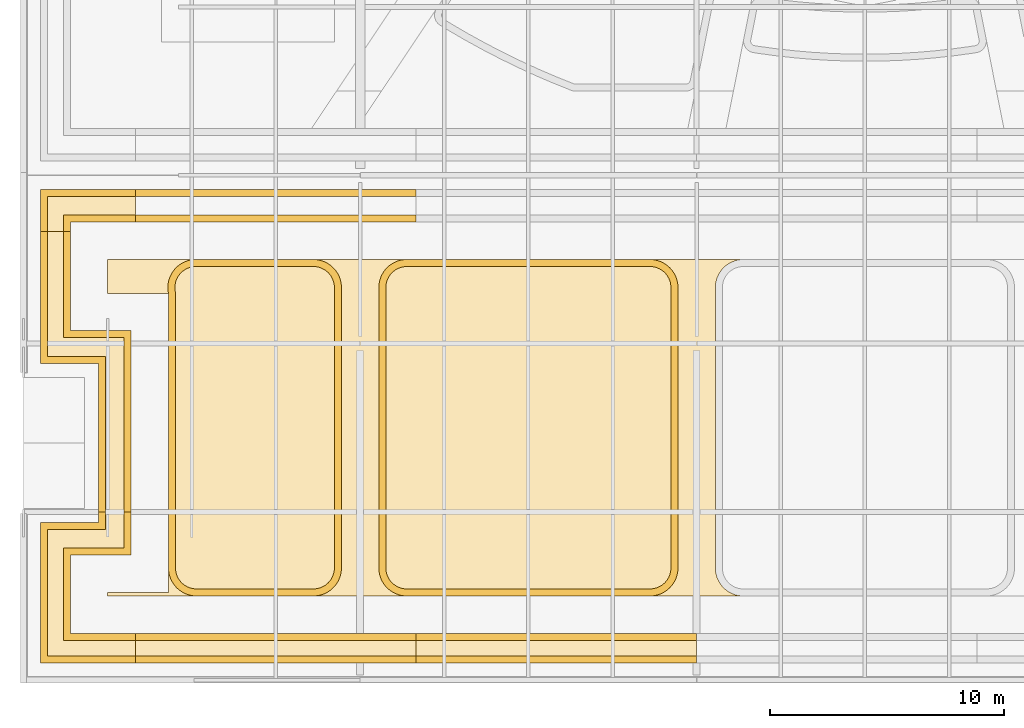
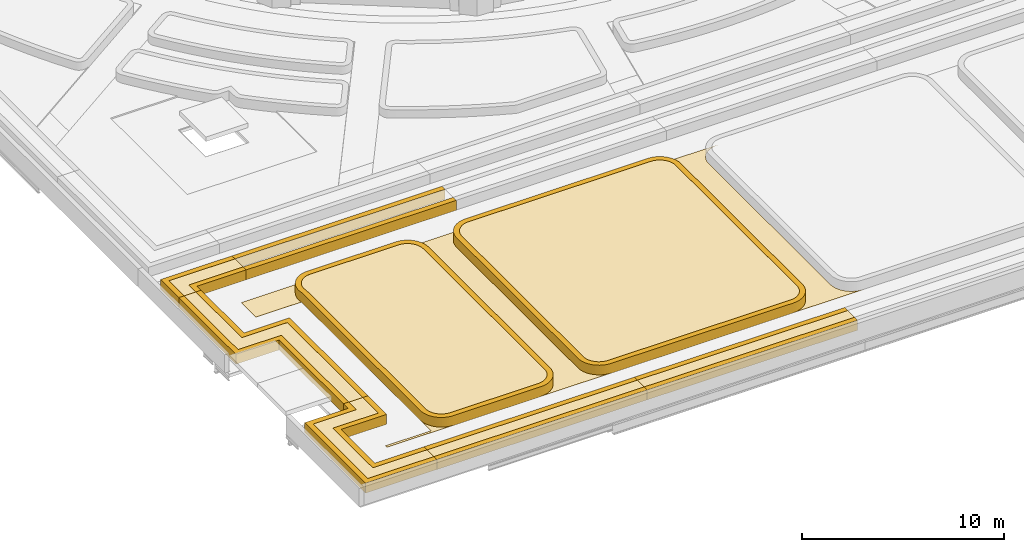
# One storey, part 81 of 110: 25 coverings.
"""IFC4 building model written with IfcOpenShell, lengths in metres."""

from ifc_helpers import new_model, si_unit, direction, frame, origin, place, context, subcontext, project, spatial, polyline, outline, extrude, material, layer, layer_set, type_object, element, save


model = new_model("IFC4")

# Units and contexts
model_context = context("Model", 3, precision=1e-05, world=origin(), true_north=direction((0.0, 1.0)))
body_context = subcontext(model_context, "Body", "Model", "MODEL_VIEW")
ifc_project = project(units=[si_unit("LENGTHUNIT", "METRE"), si_unit("AREAUNIT", "SQUARE_METRE"), si_unit("VOLUMEUNIT", "CUBIC_METRE"), si_unit("PLANEANGLEUNIT", "RADIAN"), si_unit("MASSUNIT", "GRAM", prefix="KILO")], contexts=[model_context])

# Site, building, storey
site_placement = place(None, origin())
site = spatial("IfcSite", under=ifc_project, at=site_placement, CompositionType="ELEMENT")
building_placement = place(site_placement, origin())
building = spatial("IfcBuilding", under=site, at=building_placement, Name="Kupolbacken Congress Centre", CompositionType="ELEMENT")
storey_placement = place(building_placement, frame((0.0, 0.0, 18.0)))
storey = spatial("IfcBuildingStorey", under=building, at=storey_placement, Name="L05", CompositionType="ELEMENT", Elevation=18.0)

# Coverings
ifc_material_1 = material(Name="Limestone cladding", Category="masonry")
ifc_layer_1 = layer(ifc_material_1, 0.60009765625)
ifc_layer_set_1 = layer_set([ifc_layer_1], Name="Limestone cladding")
covering_type_1 = type_object("IfcCoveringType", Name="CV5 limestone arcade pier 600", PredefinedType="CLADDING", material=ifc_layer_set_1)
covering_1_placement = place(storey_placement, origin())
element("IfcCovering", 1, at=covering_1_placement, inside=storey, type_object=covering_type_1, Name="Bed kerb, roof garden", PredefinedType="CLADDING", context=body_context, shape_type="SweptSolid", body=[
    extrude(outline(polyline([(7.929931640625, 29.530029296875), (7.929931640625, 35.547607421875), (10.402587890625, 35.547607421875), (10.402587890625, 36.0), (10.702392578125, 36.0), (10.702392578125, 35.24755859375), (8.22998046875, 35.24755859375), (8.22998046875, 29.830078125), (12.0, 29.830078125), (12.0, 29.530029296875), (7.929931640625, 29.530029296875)])), origin(), (0.0, 0.0, 1.0), 0.60009765625),
])
covering_2_placement = place(storey_placement, origin())
element("IfcCovering", 2, at=covering_2_placement, inside=storey, type_object=covering_type_1, Name="Bed kerb, roof garden", PredefinedType="CLADDING", context=body_context, shape_type="SweptSolid", body=[
    extrude(outline(polyline([(7.929931640625, 42.3525390625), (7.929931640625, 48.0), (8.22998046875, 48.0), (8.22998046875, 42.652587890625), (10.702392578125, 42.652587890625), (10.702392578125, 36.0), (10.402587890625, 36.0), (10.402587890625, 42.3525390625), (7.929931640625, 42.3525390625)])), origin(), (0.0, 0.0, 1.0), 0.60009765625),
])
covering_3_placement = place(storey_placement, origin())
element("IfcCovering", 3, at=covering_3_placement, inside=storey, type_object=covering_type_1, Name="Bed kerb, roof garden", PredefinedType="CLADDING", context=body_context, shape_type="SweptSolid", body=[
    extrude(outline(polyline([(7.929931640625, 49.669921875), (7.929931640625, 49.797607421875), (12.0, 49.797607421875), (12.0, 49.49755859375), (8.22998046875, 49.49755859375), (8.22998046875, 48.0), (7.929931640625, 48.0), (7.929931640625, 49.669921875)])), origin(), (0.0, 0.0, 1.0), 0.60009765625),
])
covering_4_placement = place(storey_placement, origin())
element("IfcCovering", 4, at=covering_4_placement, inside=storey, type_object=covering_type_1, Name="Bed kerb, roof garden", PredefinedType="CLADDING", context=body_context, shape_type="SweptSolid", body=[
    extrude(outline(polyline([(12.0, 29.530029296875), (12.0, 29.830078125), (24.0, 29.830078125), (24.0, 29.530029296875), (12.0, 29.530029296875)])), origin(), (0.0, 0.0, 1.0), 0.60009765625),
])
covering_5_placement = place(storey_placement, origin())
element("IfcCovering", 5, at=covering_5_placement, inside=storey, type_object=covering_type_1, Name="Bed kerb, roof garden", PredefinedType="CLADDING", context=body_context, shape_type="SweptSolid", body=[
    extrude(outline(polyline([(24.0, 49.797607421875), (24.0, 49.49755859375), (12.0, 49.49755859375), (12.0, 49.797607421875), (24.0, 49.797607421875)])), origin(), (0.0, 0.0, 1.0), 0.60009765625),
])
covering_6_placement = place(storey_placement, origin())
element("IfcCovering", 6, at=covering_6_placement, inside=storey, type_object=covering_type_1, Name="Bed kerb, roof garden", PredefinedType="CLADDING", context=body_context, shape_type="SweptSolid", body=[
    extrude(outline(polyline([(24.0, 29.530029296875), (24.0, 29.830078125), (36.0, 29.830078125), (36.0, 29.530029296875), (24.0, 29.530029296875)])), origin(), (0.0, 0.0, 1.0), 0.60009765625),
])
covering_7_placement = place(storey_placement, origin())
element("IfcCovering", 7, at=covering_7_placement, inside=storey, type_object=covering_type_1, Name="Bed kerb, roof garden", PredefinedType="CLADDING", context=body_context, shape_type="SweptSolid", body=[
    extrude(outline(polyline([(8.902587890625, 30.50244140625), (8.902587890625, 34.447509765625), (11.50244140625, 34.447509765625), (11.50244140625, 36.0), (11.802490234375, 36.0), (11.802490234375, 34.1474609375), (9.202392578125, 34.1474609375), (9.202392578125, 30.802490234375), (12.0, 30.802490234375), (12.0, 30.50244140625), (8.902587890625, 30.50244140625)])), origin(), (0.0, 0.0, 1.0), 0.60009765625),
])
covering_8_placement = place(storey_placement, origin())
element("IfcCovering", 8, at=covering_8_placement, inside=storey, type_object=covering_type_1, Name="Bed kerb, roof garden", PredefinedType="CLADDING", context=body_context, shape_type="SweptSolid", body=[
    extrude(outline(polyline([(11.50244140625, 43.452392578125), (8.902587890625, 43.452392578125), (8.902587890625, 48.0), (9.202392578125, 48.0), (9.202392578125, 43.75244140625), (11.802490234375, 43.75244140625), (11.802490234375, 36.0), (11.50244140625, 36.0), (11.50244140625, 43.452392578125)])), origin(), (0.0, 0.0, 1.0), 0.60009765625),
])
covering_9_placement = place(storey_placement, origin())
element("IfcCovering", 9, at=covering_9_placement, inside=storey, type_object=covering_type_1, Name="Bed kerb, roof garden", PredefinedType="CLADDING", context=body_context, shape_type="SweptSolid", body=[
    extrude(outline(polyline([(8.902587890625, 48.697509765625), (12.0, 48.697509765625), (12.0, 48.3974609375), (9.202392578125, 48.3974609375), (9.202392578125, 48.0), (8.902587890625, 48.0), (8.902587890625, 48.697509765625)])), origin(), (0.0, 0.0, 1.0), 0.60009765625),
])
covering_10_placement = place(storey_placement, origin())
element("IfcCovering", 10, at=covering_10_placement, inside=storey, type_object=covering_type_1, Name="Bed kerb, roof garden", PredefinedType="CLADDING", context=body_context, shape_type="SweptSolid", body=[
    extrude(outline(polyline([(12.0, 30.50244140625), (12.0, 30.802490234375), (24.0, 30.802490234375), (24.0, 30.50244140625), (12.0, 30.50244140625)])), origin(), (0.0, 0.0, 1.0), 0.60009765625),
])
covering_11_placement = place(storey_placement, origin())
element("IfcCovering", 11, at=covering_11_placement, inside=storey, type_object=covering_type_1, Name="Bed kerb, roof garden", PredefinedType="CLADDING", context=body_context, shape_type="SweptSolid", body=[
    extrude(outline(polyline([(24.0, 48.697509765625), (24.0, 48.3974609375), (12.0, 48.3974609375), (12.0, 48.697509765625), (24.0, 48.697509765625)])), origin(), (0.0, 0.0, 1.0), 0.60009765625),
])
covering_12_placement = place(storey_placement, origin())
element("IfcCovering", 12, at=covering_12_placement, inside=storey, type_object=covering_type_1, Name="Bed kerb, roof garden", PredefinedType="CLADDING", context=body_context, shape_type="SweptSolid", body=[
    extrude(outline(polyline([(24.0, 30.50244140625), (24.0, 30.802490234375), (36.0, 30.802490234375), (36.0, 30.50244140625), (24.0, 30.50244140625)])), origin(), (0.0, 0.0, 1.0), 0.60009765625),
])
covering_13_placement = place(storey_placement, origin())
element("IfcCovering", 13, at=covering_13_placement, inside=storey, type_object=covering_type_1, Name="Bed kerb, roof garden", PredefinedType="CLADDING", context=body_context, shape_type="SweptSolid", body=[
    extrude(outline(polyline([(13.39013671875, 45.41845703125), (13.37841796875, 45.532470703125), (13.377685546875, 45.647216796875), (13.387939453125, 45.76123046875), (13.408935546875, 45.8740234375), (13.440673828125, 45.984130859375), (13.48291015625, 46.0908203125), (13.534912109375, 46.193115234375), (13.596435546875, 46.289794921875), (13.6669921875, 46.380126953125), (13.745849609375, 46.46337890625), (13.832275390625, 46.538818359375), (13.925537109375, 46.60546875), (14.02490234375, 46.6630859375), (14.12890625, 46.710693359375), (14.2373046875, 46.74853515625), (14.3486328125, 46.775634765625), (14.462158203125, 46.7919921875), (14.57666015625, 46.797607421875), (19.6015625, 46.797607421875), (19.718994140625, 46.791748046875), (19.835693359375, 46.7744140625), (19.94970703125, 46.745849609375), (20.060791015625, 46.706298828125), (20.167236328125, 46.65576171875), (20.268310546875, 46.59521484375), (20.36279296875, 46.525146484375), (20.449951171875, 46.446044921875), (20.529052734375, 46.35888671875), (20.599365234375, 46.26416015625), (20.659912109375, 46.1630859375), (20.710205078125, 46.056640625), (20.749755859375, 45.94580078125), (20.7783203125, 45.83154296875), (20.795654296875, 45.715087890625), (20.801513671875, 45.597412109375), (20.801513671875, 33.6025390625), (20.795654296875, 33.48486328125), (20.7783203125, 33.368408203125), (20.749755859375, 33.254150390625), (20.710205078125, 33.143310546875), (20.659912109375, 33.036865234375), (20.599365234375, 32.935791015625), (20.529052734375, 32.84130859375), (20.449951171875, 32.75390625), (20.36279296875, 32.6748046875), (20.268310546875, 32.604736328125), (20.167236328125, 32.544189453125), (20.060791015625, 32.493896484375), (19.94970703125, 32.4541015625), (19.835693359375, 32.425537109375), (19.718994140625, 32.408203125), (19.6015625, 32.402587890625), (14.6025390625, 32.402587890625), (14.48486328125, 32.408203125), (14.368408203125, 32.425537109375), (14.254150390625, 32.4541015625), (14.143310546875, 32.493896484375), (14.036865234375, 32.544189453125), (13.935791015625, 32.604736328125), (13.84130859375, 32.6748046875), (13.75390625, 32.75390625), (13.6748046875, 32.84130859375), (13.604736328125, 32.935791015625), (13.544189453125, 33.036865234375), (13.493896484375, 33.143310546875), (13.4541015625, 33.254150390625), (13.425537109375, 33.368408203125), (13.408203125, 33.48486328125), (13.402587890625, 33.6025390625), (13.402587890625, 45.322998046875), (13.401123046875, 45.352294921875), (13.394287109375, 45.39697265625), (13.39013671875, 45.41845703125)]), holes=[polyline([(13.699951171875, 45.3818359375), (13.702392578125, 45.330322265625), (13.702392578125, 33.60986328125), (13.707275390625, 33.514404296875), (13.72021484375, 33.427001953125), (13.74169921875, 33.34130859375), (13.771240234375, 33.25830078125), (13.80908203125, 33.178466796875), (13.8544921875, 33.102783203125), (13.906982421875, 33.03173828125), (13.96630859375, 32.96630859375), (14.03173828125, 32.906982421875), (14.102783203125, 32.8544921875), (14.178466796875, 32.80908203125), (14.25830078125, 32.771240234375), (14.34130859375, 32.74169921875), (14.427001953125, 32.72021484375), (14.514404296875, 32.707275390625), (14.60986328125, 32.702392578125), (19.593994140625, 32.702392578125), (19.689697265625, 32.707275390625), (19.777099609375, 32.72021484375), (19.86279296875, 32.74169921875), (19.94580078125, 32.771240234375), (20.025634765625, 32.80908203125), (20.101318359375, 32.8544921875), (20.172119140625, 32.906982421875), (20.237548828125, 32.96630859375), (20.296875, 33.03173828125), (20.349609375, 33.102783203125), (20.39501953125, 33.178466796875), (20.4326171875, 33.25830078125), (20.46240234375, 33.34130859375), (20.48388671875, 33.427001953125), (20.496826171875, 33.514404296875), (20.50146484375, 33.60986328125), (20.50146484375, 45.590087890625), (20.496826171875, 45.685791015625), (20.48388671875, 45.77294921875), (20.46240234375, 45.858642578125), (20.4326171875, 45.94189453125), (20.39501953125, 46.021484375), (20.349609375, 46.097412109375), (20.296875, 46.168212890625), (20.237548828125, 46.233642578125), (20.172119140625, 46.29296875), (20.101318359375, 46.345458984375), (20.025634765625, 46.390869140625), (19.94580078125, 46.4287109375), (19.86279296875, 46.45849609375), (19.777099609375, 46.47998046875), (19.689697265625, 46.492919921875), (19.593994140625, 46.49755859375), (14.583984375, 46.49755859375), (14.49072265625, 46.492919921875), (14.40576171875, 46.480712890625), (14.322265625, 46.46044921875), (14.240966796875, 46.43212890625), (14.162841796875, 46.396240234375), (14.08837890625, 46.353271484375), (14.0185546875, 46.30322265625), (13.953857421875, 46.24658203125), (13.894775390625, 46.184326171875), (13.841796875, 46.116455078125), (13.795654296875, 46.0439453125), (13.756591796875, 45.96728515625), (13.72509765625, 45.887451171875), (13.701416015625, 45.8046875), (13.685546875, 45.72021484375), (13.677734375, 45.634765625), (13.678466796875, 45.548583984375), (13.68701171875, 45.463134765625), (13.690185546875, 45.448486328125), (13.699951171875, 45.3818359375)])]), origin(), (0.0, 0.0, 1.0), 0.60009765625),
])
covering_14_placement = place(storey_placement, origin())
element("IfcCovering", 14, at=covering_14_placement, inside=storey, type_object=covering_type_1, Name="Bed kerb, roof garden", PredefinedType="CLADDING", context=body_context, shape_type="SweptSolid", body=[
    extrude(outline(polyline([(34.1181640625, 46.791748046875), (34.234619140625, 46.7744140625), (34.348876953125, 46.745849609375), (34.459716796875, 46.706298828125), (34.566162109375, 46.65576171875), (34.667236328125, 46.59521484375), (34.76171875, 46.525146484375), (34.84912109375, 46.446044921875), (34.927978515625, 46.35888671875), (34.998291015625, 46.26416015625), (35.058837890625, 46.1630859375), (35.109130859375, 46.056640625), (35.148681640625, 45.94580078125), (35.177490234375, 45.83154296875), (35.194580078125, 45.715087890625), (35.200439453125, 45.597412109375), (35.200439453125, 33.6025390625), (35.194580078125, 33.48486328125), (35.177490234375, 33.368408203125), (35.148681640625, 33.254150390625), (35.109130859375, 33.143310546875), (35.058837890625, 33.036865234375), (34.998291015625, 32.935791015625), (34.927978515625, 32.84130859375), (34.84912109375, 32.75390625), (34.76171875, 32.6748046875), (34.667236328125, 32.604736328125), (34.566162109375, 32.544189453125), (34.459716796875, 32.493896484375), (34.348876953125, 32.4541015625), (34.234619140625, 32.425537109375), (34.1181640625, 32.408203125), (34.00048828125, 32.402587890625), (23.6015625, 32.402587890625), (23.48388671875, 32.408203125), (23.367431640625, 32.425537109375), (23.253173828125, 32.4541015625), (23.142333984375, 32.493896484375), (23.035888671875, 32.544189453125), (22.934814453125, 32.604736328125), (22.840087890625, 32.6748046875), (22.7529296875, 32.75390625), (22.673828125, 32.84130859375), (22.603759765625, 32.935791015625), (22.543212890625, 33.036865234375), (22.492919921875, 33.143310546875), (22.453125, 33.254150390625), (22.424560546875, 33.368408203125), (22.4072265625, 33.48486328125), (22.401611328125, 33.6025390625), (22.401611328125, 45.597412109375), (22.4072265625, 45.715087890625), (22.424560546875, 45.83154296875), (22.453125, 45.94580078125), (22.492919921875, 46.056640625), (22.543212890625, 46.1630859375), (22.603759765625, 46.26416015625), (22.673828125, 46.35888671875), (22.7529296875, 46.446044921875), (22.840087890625, 46.525146484375), (22.934814453125, 46.59521484375), (23.035888671875, 46.65576171875), (23.142333984375, 46.706298828125), (23.253173828125, 46.745849609375), (23.367431640625, 46.7744140625), (23.48388671875, 46.791748046875), (23.6015625, 46.797607421875), (34.00048828125, 46.797607421875), (34.1181640625, 46.791748046875)]), holes=[polyline([(23.60888671875, 46.49755859375), (23.51318359375, 46.492919921875), (23.426025390625, 46.47998046875), (23.34033203125, 46.45849609375), (23.257080078125, 46.4287109375), (23.177490234375, 46.390869140625), (23.101806640625, 46.345458984375), (23.03076171875, 46.29296875), (22.96533203125, 46.233642578125), (22.906005859375, 46.168212890625), (22.853515625, 46.097412109375), (22.80810546875, 46.021484375), (22.770263671875, 45.94189453125), (22.740478515625, 45.858642578125), (22.718994140625, 45.77294921875), (22.706298828125, 45.685791015625), (22.701416015625, 45.590087890625), (22.701416015625, 33.60986328125), (22.706298828125, 33.514404296875), (22.718994140625, 33.427001953125), (22.740478515625, 33.34130859375), (22.770263671875, 33.25830078125), (22.80810546875, 33.178466796875), (22.853515625, 33.102783203125), (22.906005859375, 33.03173828125), (22.96533203125, 32.96630859375), (23.03076171875, 32.906982421875), (23.101806640625, 32.8544921875), (23.177490234375, 32.80908203125), (23.257080078125, 32.771240234375), (23.34033203125, 32.74169921875), (23.426025390625, 32.72021484375), (23.51318359375, 32.707275390625), (23.60888671875, 32.702392578125), (33.9931640625, 32.702392578125), (34.088623046875, 32.707275390625), (34.176025390625, 32.72021484375), (34.26171875, 32.74169921875), (34.3447265625, 32.771240234375), (34.424560546875, 32.80908203125), (34.500244140625, 32.8544921875), (34.5712890625, 32.906982421875), (34.63671875, 32.96630859375), (34.69580078125, 33.03173828125), (34.74853515625, 33.102783203125), (34.7939453125, 33.178466796875), (34.831787109375, 33.25830078125), (34.861328125, 33.34130859375), (34.8828125, 33.427001953125), (34.895751953125, 33.514404296875), (34.900390625, 33.60986328125), (34.900390625, 45.590087890625), (34.895751953125, 45.685791015625), (34.8828125, 45.77294921875), (34.861328125, 45.858642578125), (34.831787109375, 45.94189453125), (34.7939453125, 46.021484375), (34.74853515625, 46.097412109375), (34.69580078125, 46.168212890625), (34.63671875, 46.233642578125), (34.5712890625, 46.29296875), (34.500244140625, 46.345458984375), (34.424560546875, 46.390869140625), (34.3447265625, 46.4287109375), (34.26171875, 46.45849609375), (34.176025390625, 46.47998046875), (34.088623046875, 46.492919921875), (33.9931640625, 46.49755859375), (23.60888671875, 46.49755859375)])]), origin(), (0.0, 0.0, 1.0), 0.60009765625),
])
ifc_material_2 = material(Name="Limestone cladding", Category="masonry")
ifc_layer_2 = layer(ifc_material_2, 0.02001953125)
ifc_layer_set_2 = layer_set([ifc_layer_2], Name="Limestone cladding")
covering_type_2 = type_object("IfcCoveringType", Name="GF1 limestone paving 20", PredefinedType="FLOORING", material=ifc_layer_set_2)
covering_15_placement = place(storey_placement, origin())
element("IfcCovering", 15, at=covering_15_placement, inside=storey, type_object=covering_type_2, Name="Roof walk, roof garden", PredefinedType="FLOORING", context=body_context, shape_type="SweptSolid", body=[
    extrude(outline(polyline([(13.394287109375, 45.39697265625), (13.40087890625, 45.3525390625), (10.802490234375, 45.3525390625), (10.802490234375, 46.797607421875), (14.57666015625, 46.797607421875), (14.462158203125, 46.7919921875), (14.3486328125, 46.775634765625), (14.2373046875, 46.74853515625), (14.12890625, 46.710693359375), (14.02490234375, 46.6630859375), (13.925537109375, 46.60546875), (13.832275390625, 46.538818359375), (13.745849609375, 46.46337890625), (13.6669921875, 46.380126953125), (13.596435546875, 46.289794921875), (13.534912109375, 46.193115234375), (13.48291015625, 46.0908203125), (13.440673828125, 45.984130859375), (13.408935546875, 45.8740234375), (13.387939453125, 45.76123046875), (13.377685546875, 45.647216796875), (13.37841796875, 45.532470703125), (13.39013671875, 45.41845703125), (13.394287109375, 45.39697265625)])), origin(), (0.0, 0.0, 1.0), 0.02001953125),
])
covering_16_placement = place(storey_placement, origin())
element("IfcCovering", 16, at=covering_16_placement, inside=storey, type_object=covering_type_2, Name="Roof walk, roof garden", PredefinedType="FLOORING", context=body_context, shape_type="SweptSolid", body=[
    extrude(outline(polyline([(13.408203125, 33.48486328125), (13.425537109375, 33.368408203125), (13.4541015625, 33.254150390625), (13.493896484375, 33.143310546875), (13.544189453125, 33.036865234375), (13.604736328125, 32.935791015625), (13.6748046875, 32.84130859375), (13.75390625, 32.75390625), (13.84130859375, 32.6748046875), (13.935791015625, 32.604736328125), (14.036865234375, 32.544189453125), (14.143310546875, 32.493896484375), (14.254150390625, 32.4541015625), (14.368408203125, 32.425537109375), (14.48486328125, 32.408203125), (14.6025390625, 32.402587890625), (10.802490234375, 32.402587890625), (10.802490234375, 32.547607421875), (13.402587890625, 32.547607421875), (13.402587890625, 33.6025390625), (13.408203125, 33.48486328125)])), origin(), (0.0, 0.0, 1.0), 0.02001953125),
])
covering_17_placement = place(storey_placement, origin())
element("IfcCovering", 17, at=covering_17_placement, inside=storey, type_object=covering_type_2, Name="Roof walk, roof garden", PredefinedType="FLOORING", context=body_context, shape_type="SweptSolid", body=[
    extrude(outline(polyline([(19.718994140625, 32.408203125), (19.835693359375, 32.425537109375), (19.94970703125, 32.4541015625), (20.060791015625, 32.493896484375), (20.167236328125, 32.544189453125), (20.268310546875, 32.604736328125), (20.36279296875, 32.6748046875), (20.449951171875, 32.75390625), (20.529052734375, 32.84130859375), (20.599365234375, 32.935791015625), (20.659912109375, 33.036865234375), (20.710205078125, 33.143310546875), (20.749755859375, 33.254150390625), (20.7783203125, 33.368408203125), (20.795654296875, 33.48486328125), (20.801513671875, 33.6025390625), (20.801513671875, 45.597412109375), (20.795654296875, 45.715087890625), (20.7783203125, 45.83154296875), (20.749755859375, 45.94580078125), (20.710205078125, 46.056640625), (20.659912109375, 46.1630859375), (20.599365234375, 46.26416015625), (20.529052734375, 46.35888671875), (20.449951171875, 46.446044921875), (20.36279296875, 46.525146484375), (20.268310546875, 46.59521484375), (20.167236328125, 46.65576171875), (20.060791015625, 46.706298828125), (19.94970703125, 46.745849609375), (19.835693359375, 46.7744140625), (19.718994140625, 46.791748046875), (19.6015625, 46.797607421875), (23.6015625, 46.797607421875), (23.48388671875, 46.791748046875), (23.367431640625, 46.7744140625), (23.253173828125, 46.745849609375), (23.142333984375, 46.706298828125), (23.035888671875, 46.65576171875), (22.934814453125, 46.59521484375), (22.840087890625, 46.525146484375), (22.7529296875, 46.446044921875), (22.673828125, 46.35888671875), (22.603759765625, 46.26416015625), (22.543212890625, 46.1630859375), (22.492919921875, 46.056640625), (22.453125, 45.94580078125), (22.424560546875, 45.83154296875), (22.4072265625, 45.715087890625), (22.401611328125, 45.597412109375), (22.401611328125, 33.6025390625), (22.4072265625, 33.48486328125), (22.424560546875, 33.368408203125), (22.453125, 33.254150390625), (22.492919921875, 33.143310546875), (22.543212890625, 33.036865234375), (22.603759765625, 32.935791015625), (22.673828125, 32.84130859375), (22.7529296875, 32.75390625), (22.840087890625, 32.6748046875), (22.934814453125, 32.604736328125), (23.035888671875, 32.544189453125), (23.142333984375, 32.493896484375), (23.253173828125, 32.4541015625), (23.367431640625, 32.425537109375), (23.48388671875, 32.408203125), (23.6015625, 32.402587890625), (19.6015625, 32.402587890625), (19.718994140625, 32.408203125)])), origin(), (0.0, 0.0, 1.0), 0.02001953125),
])
covering_18_placement = place(storey_placement, origin())
element("IfcCovering", 18, at=covering_18_placement, inside=storey, type_object=covering_type_2, Name="Roof walk, roof garden", PredefinedType="FLOORING", context=body_context, shape_type="SweptSolid", body=[
    extrude(outline(polyline([(34.1181640625, 46.791748046875), (34.00048828125, 46.797607421875), (38.00048828125, 46.797607421875), (37.8828125, 46.791748046875), (37.766357421875, 46.7744140625), (37.652099609375, 46.745849609375), (37.541259765625, 46.706298828125), (37.434814453125, 46.65576171875), (37.333740234375, 46.59521484375), (37.2392578125, 46.525146484375), (37.152099609375, 46.446044921875), (37.072998046875, 46.35888671875), (37.002685546875, 46.26416015625), (36.942138671875, 46.1630859375), (36.891845703125, 46.056640625), (36.852294921875, 45.94580078125), (36.823486328125, 45.83154296875), (36.806396484375, 45.715087890625), (36.800537109375, 45.597412109375), (36.800537109375, 33.6025390625), (36.806396484375, 33.48486328125), (36.823486328125, 33.368408203125), (36.852294921875, 33.254150390625), (36.891845703125, 33.143310546875), (36.942138671875, 33.036865234375), (37.002685546875, 32.935791015625), (37.072998046875, 32.84130859375), (37.152099609375, 32.75390625), (37.2392578125, 32.6748046875), (37.333740234375, 32.604736328125), (37.434814453125, 32.544189453125), (37.541259765625, 32.493896484375), (37.652099609375, 32.4541015625), (37.766357421875, 32.425537109375), (37.8828125, 32.408203125), (38.00048828125, 32.402587890625), (34.00048828125, 32.402587890625), (34.1181640625, 32.408203125), (34.234619140625, 32.425537109375), (34.348876953125, 32.4541015625), (34.459716796875, 32.493896484375), (34.566162109375, 32.544189453125), (34.667236328125, 32.604736328125), (34.76171875, 32.6748046875), (34.84912109375, 32.75390625), (34.927978515625, 32.84130859375), (34.998291015625, 32.935791015625), (35.058837890625, 33.036865234375), (35.109130859375, 33.143310546875), (35.148681640625, 33.254150390625), (35.177490234375, 33.368408203125), (35.194580078125, 33.48486328125), (35.200439453125, 33.6025390625), (35.200439453125, 45.597412109375), (35.194580078125, 45.715087890625), (35.177490234375, 45.83154296875), (35.148681640625, 45.94580078125), (35.109130859375, 46.056640625), (35.058837890625, 46.1630859375), (34.998291015625, 46.26416015625), (34.927978515625, 46.35888671875), (34.84912109375, 46.446044921875), (34.76171875, 46.525146484375), (34.667236328125, 46.59521484375), (34.566162109375, 46.65576171875), (34.459716796875, 46.706298828125), (34.348876953125, 46.745849609375), (34.234619140625, 46.7744140625), (34.1181640625, 46.791748046875)])), origin(), (0.0, 0.0, 1.0), 0.02001953125),
])
ifc_material_3 = material(Name="Planting substrate", Category="soil")
ifc_layer_3 = layer(ifc_material_3, 0.60009765625)
ifc_layer_set_3 = layer_set([ifc_layer_3], Name="Planting substrate")
covering_type_3 = type_object("IfcCoveringType", Name="GR8 planting substrate 600", PredefinedType="FLOORING", material=ifc_layer_set_3)
covering_19_placement = place(storey_placement, origin())
element("IfcCovering", 19, at=covering_19_placement, inside=storey, type_object=covering_type_3, Name="Planting bed, roof garden", PredefinedType="FLOORING", context=body_context, shape_type="SweptSolid", body=[
    extrude(outline(polyline([(8.22998046875, 29.830078125), (8.22998046875, 35.24755859375), (10.702392578125, 35.24755859375), (10.702392578125, 36.0), (11.50244140625, 36.0), (11.50244140625, 34.447509765625), (8.902587890625, 34.447509765625), (8.902587890625, 30.50244140625), (12.0, 30.50244140625), (12.0, 29.830078125), (8.22998046875, 29.830078125)])), origin(), (0.0, 0.0, 1.0), 0.60009765625),
])
covering_20_placement = place(storey_placement, origin())
element("IfcCovering", 20, at=covering_20_placement, inside=storey, type_object=covering_type_3, Name="Planting bed, roof garden", PredefinedType="FLOORING", context=body_context, shape_type="SweptSolid", body=[
    extrude(outline(polyline([(10.702392578125, 42.652587890625), (8.22998046875, 42.652587890625), (8.22998046875, 48.0), (8.902587890625, 48.0), (8.902587890625, 43.452392578125), (11.50244140625, 43.452392578125), (11.50244140625, 36.0), (10.702392578125, 36.0), (10.702392578125, 42.652587890625)])), origin(), (0.0, 0.0, 1.0), 0.60009765625),
])
covering_21_placement = place(storey_placement, origin())
element("IfcCovering", 21, at=covering_21_placement, inside=storey, type_object=covering_type_3, Name="Planting bed, roof garden", PredefinedType="FLOORING", context=body_context, shape_type="SweptSolid", body=[
    extrude(outline(polyline([(12.0, 49.49755859375), (12.0, 48.697509765625), (8.902587890625, 48.697509765625), (8.902587890625, 48.0), (8.22998046875, 48.0), (8.22998046875, 49.49755859375), (12.0, 49.49755859375)])), origin(), (0.0, 0.0, 1.0), 0.60009765625),
])
covering_22_placement = place(storey_placement, origin())
element("IfcCovering", 22, at=covering_22_placement, inside=storey, type_object=covering_type_3, Name="Planting bed, roof garden", PredefinedType="FLOORING", context=body_context, shape_type="SweptSolid", body=[
    extrude(outline(polyline([(12.0, 29.830078125), (12.0, 30.50244140625), (24.0, 30.50244140625), (24.0, 29.830078125), (12.0, 29.830078125)])), origin(), (0.0, 0.0, 1.0), 0.60009765625),
])
covering_23_placement = place(storey_placement, origin())
element("IfcCovering", 23, at=covering_23_placement, inside=storey, type_object=covering_type_3, Name="Planting bed, roof garden", PredefinedType="FLOORING", context=body_context, shape_type="SweptSolid", body=[
    extrude(outline(polyline([(24.0, 29.830078125), (24.0, 30.50244140625), (36.0, 30.50244140625), (36.0, 29.830078125), (24.0, 29.830078125)])), origin(), (0.0, 0.0, 1.0), 0.60009765625),
])
covering_24_placement = place(storey_placement, origin())
element("IfcCovering", 24, at=covering_24_placement, inside=storey, type_object=covering_type_3, Name="Planting bed, roof garden", PredefinedType="FLOORING", context=body_context, shape_type="SweptSolid", body=[
    extrude(outline(polyline([(13.690185546875, 45.448486328125), (13.68701171875, 45.463134765625), (13.678466796875, 45.548583984375), (13.677734375, 45.634765625), (13.685546875, 45.72021484375), (13.701416015625, 45.8046875), (13.72509765625, 45.887451171875), (13.756591796875, 45.96728515625), (13.795654296875, 46.0439453125), (13.841796875, 46.116455078125), (13.894775390625, 46.184326171875), (13.953857421875, 46.24658203125), (14.0185546875, 46.30322265625), (14.08837890625, 46.353271484375), (14.162841796875, 46.396240234375), (14.240966796875, 46.43212890625), (14.322265625, 46.46044921875), (14.40576171875, 46.480712890625), (14.49072265625, 46.492919921875), (14.583984375, 46.49755859375), (19.593994140625, 46.49755859375), (19.689697265625, 46.492919921875), (19.777099609375, 46.47998046875), (19.86279296875, 46.45849609375), (19.94580078125, 46.4287109375), (20.025634765625, 46.390869140625), (20.101318359375, 46.345458984375), (20.172119140625, 46.29296875), (20.237548828125, 46.233642578125), (20.296875, 46.168212890625), (20.349609375, 46.097412109375), (20.39501953125, 46.021484375), (20.4326171875, 45.94189453125), (20.46240234375, 45.858642578125), (20.48388671875, 45.77294921875), (20.496826171875, 45.685791015625), (20.50146484375, 45.590087890625), (20.50146484375, 33.60986328125), (20.496826171875, 33.514404296875), (20.48388671875, 33.427001953125), (20.46240234375, 33.34130859375), (20.4326171875, 33.25830078125), (20.39501953125, 33.178466796875), (20.349609375, 33.102783203125), (20.296875, 33.03173828125), (20.237548828125, 32.96630859375), (20.172119140625, 32.906982421875), (20.101318359375, 32.8544921875), (20.025634765625, 32.80908203125), (19.94580078125, 32.771240234375), (19.86279296875, 32.74169921875), (19.777099609375, 32.72021484375), (19.689697265625, 32.707275390625), (19.593994140625, 32.702392578125), (14.60986328125, 32.702392578125), (14.514404296875, 32.707275390625), (14.427001953125, 32.72021484375), (14.34130859375, 32.74169921875), (14.25830078125, 32.771240234375), (14.178466796875, 32.80908203125), (14.102783203125, 32.8544921875), (14.03173828125, 32.906982421875), (13.96630859375, 32.96630859375), (13.906982421875, 33.03173828125), (13.8544921875, 33.102783203125), (13.80908203125, 33.178466796875), (13.771240234375, 33.25830078125), (13.74169921875, 33.34130859375), (13.72021484375, 33.427001953125), (13.707275390625, 33.514404296875), (13.702392578125, 33.60986328125), (13.702392578125, 45.330322265625), (13.699951171875, 45.3818359375), (13.690185546875, 45.448486328125)])), origin(), (0.0, 0.0, 1.0), 0.60009765625),
])
covering_25_placement = place(storey_placement, origin())
element("IfcCovering", 25, at=covering_25_placement, inside=storey, type_object=covering_type_3, Name="Planting bed, roof garden", PredefinedType="FLOORING", context=body_context, shape_type="SweptSolid", body=[
    extrude(outline(polyline([(33.9931640625, 46.49755859375), (34.088623046875, 46.492919921875), (34.176025390625, 46.47998046875), (34.26171875, 46.45849609375), (34.3447265625, 46.4287109375), (34.424560546875, 46.390869140625), (34.500244140625, 46.345458984375), (34.5712890625, 46.29296875), (34.63671875, 46.233642578125), (34.69580078125, 46.168212890625), (34.74853515625, 46.097412109375), (34.7939453125, 46.021484375), (34.831787109375, 45.94189453125), (34.861328125, 45.858642578125), (34.8828125, 45.77294921875), (34.895751953125, 45.685791015625), (34.900390625, 45.590087890625), (34.900390625, 33.60986328125), (34.895751953125, 33.514404296875), (34.8828125, 33.427001953125), (34.861328125, 33.34130859375), (34.831787109375, 33.25830078125), (34.7939453125, 33.178466796875), (34.74853515625, 33.102783203125), (34.69580078125, 33.03173828125), (34.63671875, 32.96630859375), (34.5712890625, 32.906982421875), (34.500244140625, 32.8544921875), (34.424560546875, 32.80908203125), (34.3447265625, 32.771240234375), (34.26171875, 32.74169921875), (34.176025390625, 32.72021484375), (34.088623046875, 32.707275390625), (33.9931640625, 32.702392578125), (23.60888671875, 32.702392578125), (23.51318359375, 32.707275390625), (23.426025390625, 32.72021484375), (23.34033203125, 32.74169921875), (23.257080078125, 32.771240234375), (23.177490234375, 32.80908203125), (23.101806640625, 32.8544921875), (23.03076171875, 32.906982421875), (22.96533203125, 32.96630859375), (22.906005859375, 33.03173828125), (22.853515625, 33.102783203125), (22.80810546875, 33.178466796875), (22.770263671875, 33.25830078125), (22.740478515625, 33.34130859375), (22.718994140625, 33.427001953125), (22.706298828125, 33.514404296875), (22.701416015625, 33.60986328125), (22.701416015625, 45.590087890625), (22.706298828125, 45.685791015625), (22.718994140625, 45.77294921875), (22.740478515625, 45.858642578125), (22.770263671875, 45.94189453125), (22.80810546875, 46.021484375), (22.853515625, 46.097412109375), (22.906005859375, 46.168212890625), (22.96533203125, 46.233642578125), (23.03076171875, 46.29296875), (23.101806640625, 46.345458984375), (23.177490234375, 46.390869140625), (23.257080078125, 46.4287109375), (23.34033203125, 46.45849609375), (23.426025390625, 46.47998046875), (23.51318359375, 46.492919921875), (23.60888671875, 46.49755859375), (33.9931640625, 46.49755859375)])), origin(), (0.0, 0.0, 1.0), 0.60009765625),
])

save(model, "model.ifc")
